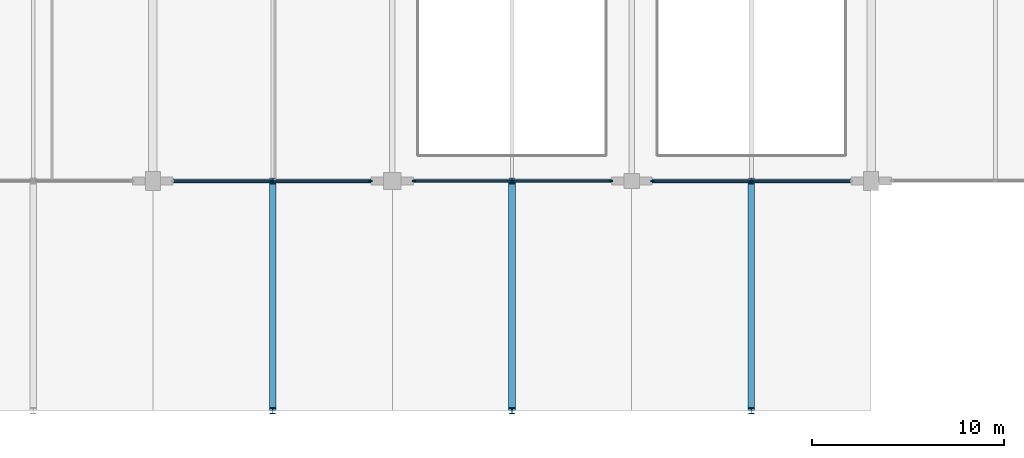
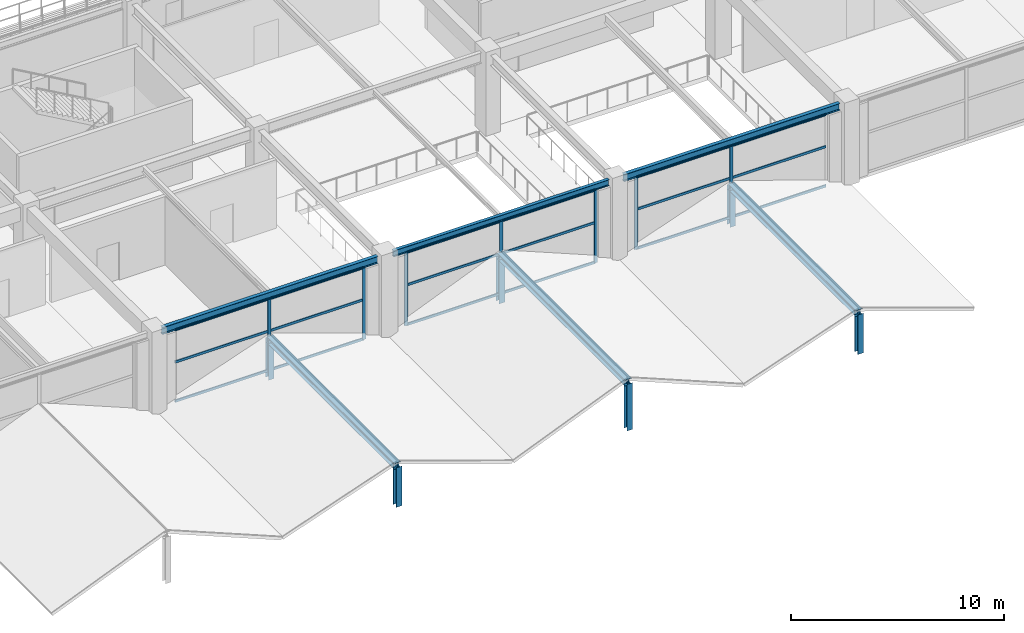
# One storey, part 12 of 134: 34 members, 3 beams, 3 elements without a shape of their own.
"""IFC4 building model written with IfcOpenShell, lengths in metres."""

from ifc_helpers import new_model, si_unit, direction, frame, origin, origin_2d, place, context, subcontext, project, spatial, rectangle, i_section, extrude, material, layer, layer_set, material_profile, profile_set, type_object, element, aggregate, save


model = new_model("IFC4")

# Units and contexts
model_context = context("Model", 3, precision=1e-05, world=origin(), true_north=direction((0.0, 1.0)))
body_context = subcontext(model_context, "Body", "Model", "MODEL_VIEW")
ifc_project = project(units=[si_unit("LENGTHUNIT", "METRE"), si_unit("AREAUNIT", "SQUARE_METRE"), si_unit("VOLUMEUNIT", "CUBIC_METRE"), si_unit("PLANEANGLEUNIT", "RADIAN"), si_unit("MASSUNIT", "GRAM", prefix="KILO")], contexts=[model_context])

# Site, building, storey
site_placement = place(None, origin())
site = spatial("IfcSite", under=ifc_project, at=site_placement, CompositionType="ELEMENT")
building_placement = place(site_placement, origin())
building = spatial("IfcBuilding", under=site, at=building_placement, Name="Kazenohara Klinker Stadium", CompositionType="ELEMENT")
storey_placement = place(building_placement, frame((0.0, 0.0, 5.39990234375)))
storey = spatial("IfcBuildingStorey", under=building, at=storey_placement, Name="L01", CompositionType="ELEMENT", Elevation=5.39990234375)

# Beams
ifc_material_1 = material(Name="Steel S355", Category="steel")
ifc_material_profile_1 = material_profile(ifc_material_1, i_section(OverallWidth=0.199951171875, OverallDepth=0.39990234375, WebThickness=0.008056640625, FlangeThickness=0.012939453125, FilletRadius=0.012939453125, at=origin_2d()), Name="H-400x200x8x13")
ifc_profile_set_1 = profile_set([ifc_material_profile_1], Name="Steel S355")
beam_type_1 = type_object("IfcBeamType", Name="BM-SPD01", PredefinedType="SPANDREL", material=ifc_profile_set_1)
beam_1_placement = place(storey_placement, frame((61.89990234375, 12.0, 4.35009765625), z_axis=(1.0, 0.0, 0.0), x_axis=(0.0, 1.0, 0.0)))
element("IfcBeam", 1, at=beam_1_placement, inside=storey, type_object=beam_type_1, Name="Primary girder SP01 L01 6-7/B", PredefinedType="SPANDREL", context=body_context, shape_type="SweptSolid", body=[
    extrude(i_section(OverallWidth=0.199951171875, OverallDepth=0.39990234375, WebThickness=0.008056640625, FlangeThickness=0.012939453125, FilletRadius=0.012939453125, at=origin_2d()), origin(), (0.0, 0.0, 1.0), 11.68017578125),
])
beam_2_placement = place(storey_placement, frame((86.89990234375, 12.0, 4.35009765625), z_axis=(1.0, 0.0, 0.0), x_axis=(0.0, 1.0, 0.0)))
element("IfcBeam", 2, at=beam_2_placement, inside=storey, type_object=beam_type_1, Name="Primary girder SP01 L01 8-9/B", PredefinedType="SPANDREL", context=body_context, shape_type="SweptSolid", body=[
    extrude(i_section(OverallWidth=0.199951171875, OverallDepth=0.39990234375, WebThickness=0.008056640625, FlangeThickness=0.012939453125, FilletRadius=0.012939453125, at=origin_2d()), origin(), (0.0, 0.0, 1.0), 11.7001953125),
])
ifc_material_profile_2 = material_profile(ifc_material_1, i_section(OverallWidth=0.175048828125, OverallDepth=0.35009765625, WebThickness=0.007080078125, FlangeThickness=0.010986328125, FilletRadius=0.012939453125, at=origin_2d()), Name="H-350x175x7x11")
ifc_profile_set_2 = profile_set([ifc_material_profile_2], Name="Steel S355")
beam_type_2 = type_object("IfcBeamType", Name="BM-SPD02", PredefinedType="SPANDREL", material=ifc_profile_set_2)
beam_3_placement = place(storey_placement, frame((74.419921875, 12.0, 4.375), z_axis=(1.0, 0.0, 0.0), x_axis=(0.0, 1.0, 0.0)))
element("IfcBeam", 3, at=beam_3_placement, inside=storey, type_object=beam_type_2, Name="Primary girder SP02 L01 7-8/B", PredefinedType="SPANDREL", context=body_context, shape_type="SweptSolid", body=[
    extrude(i_section(OverallWidth=0.175048828125, OverallDepth=0.35009765625, WebThickness=0.007080078125, FlangeThickness=0.010986328125, FilletRadius=0.012939453125, at=origin_2d()), origin(), (0.0, 0.0, 1.0), 11.68017578125),
])

# Curtain wall, members
ifc_material_2 = material(Name="Anodised aluminium and triple glazing", Category="aluminium")
ifc_layer_1 = layer(ifc_material_2, 0.18994140625)
ifc_layer_set_1 = layer_set([ifc_layer_1], Name="Anodised aluminium and triple glazing")
curtain_wall_type_1 = type_object("IfcCurtainWallType", Name="CW-SYS-05", PredefinedType="USERDEFINED", material=ifc_layer_set_1)
curtain_wall_1_placement = place(storey_placement, origin())
curtain_wall_1 = element("IfcCurtainWall", 4, at=curtain_wall_1_placement, inside=storey, type_object=curtain_wall_type_1, Name="Unitised facade curtain wall CW05 L01 X5-1", ObjectType="UNITISED CURTAIN WALL", PredefinedType="USERDEFINED")
ifc_material_3 = material(Name="Anodised aluminium 6063-T6", Category="aluminium")
ifc_material_profile_3 = material_profile(ifc_material_3, rectangle(XDim=0.06494140625, YDim=0.179931640625, at=origin_2d()), Name="ALU-MUL-65x180")
ifc_profile_set_3 = profile_set([ifc_material_profile_3], Name="Anodised aluminium 6063-T6")
member_type_1 = type_object("IfcMemberType", Name="CW-MUL-180", PredefinedType="MULLION", material=ifc_profile_set_3)
member_1_placement = place(storey_placement, frame((67.72509765625, 12.0, 0.0), z_axis=(0.0, 0.0, 1.0), x_axis=(0.0, 1.0, 0.0)))
member_1 = element("IfcMember", 5, at=member_1_placement, type_object=member_type_1, Name="CW05 mullion 2", PredefinedType="MULLION", context=body_context, shape_type="SweptSolid", body=[
    extrude(rectangle(XDim=0.06494140625, YDim=0.179931640625, at=origin_2d()), origin(), (0.0, 0.0, 1.0), 4.150146484375),
])
member_2_placement = place(storey_placement, frame((72.863525390625, 12.0, 0.0), z_axis=(0.0, 0.0, 1.0), x_axis=(0.0, 1.0, 0.0)))
member_2 = element("IfcMember", 6, at=member_2_placement, type_object=member_type_1, Name="CW05 mullion 3", PredefinedType="MULLION", context=body_context, shape_type="SweptSolid", body=[
    extrude(rectangle(XDim=0.06494140625, YDim=0.179931640625, at=origin_2d()), origin(), (0.0, 0.0, 1.0), 4.150146484375),
])

ifc_layer_2 = layer(ifc_material_2, 0.179931640625)
ifc_layer_set_2 = layer_set([ifc_layer_2], Name="Anodised aluminium and triple glazing")
curtain_wall_type_2 = type_object("IfcCurtainWallType", Name="CW-SYS-02", PredefinedType="USERDEFINED", material=ifc_layer_set_2)
curtain_wall_2_placement = place(storey_placement, origin())
curtain_wall_2 = element("IfcCurtainWall", 7, at=curtain_wall_2_placement, inside=storey, type_object=curtain_wall_type_2, Name="Unitised facade curtain wall CW02 L01 X6-1", ObjectType="UNITISED CURTAIN WALL", PredefinedType="USERDEFINED")
member_3_placement = place(storey_placement, frame((75.136474609375, 12.0, 0.0), z_axis=(0.0, 0.0, 1.0), x_axis=(0.0, 1.0, 0.0)))
member_3 = element("IfcMember", 8, at=member_3_placement, type_object=member_type_1, Name="CW02 mullion 1", PredefinedType="MULLION", context=body_context, shape_type="SweptSolid", body=[
    extrude(rectangle(XDim=0.06494140625, YDim=0.179931640625, at=origin_2d()), origin(), (0.0, 0.0, 1.0), 4.2001953125),
])
member_4_placement = place(storey_placement, frame((80.27490234375, 12.0, 0.0), z_axis=(0.0, 0.0, 1.0), x_axis=(0.0, 1.0, 0.0)))
member_4 = element("IfcMember", 9, at=member_4_placement, type_object=member_type_1, Name="CW02 mullion 2", PredefinedType="MULLION", context=body_context, shape_type="SweptSolid", body=[
    extrude(rectangle(XDim=0.06494140625, YDim=0.179931640625, at=origin_2d()), origin(), (0.0, 0.0, 1.0), 4.2001953125),
])
member_5_placement = place(storey_placement, frame((85.41357421875, 12.0, 0.0), z_axis=(0.0, 0.0, 1.0), x_axis=(0.0, 1.0, 0.0)))
member_5 = element("IfcMember", 10, at=member_5_placement, type_object=member_type_1, Name="CW02 mullion 3", PredefinedType="MULLION", context=body_context, shape_type="SweptSolid", body=[
    extrude(rectangle(XDim=0.06494140625, YDim=0.179931640625, at=origin_2d()), origin(), (0.0, 0.0, 1.0), 4.2001953125),
])

ifc_layer_3 = layer(ifc_material_2, 0.169921875)
ifc_layer_set_3 = layer_set([ifc_layer_3], Name="Anodised aluminium and triple glazing")
curtain_wall_type_3 = type_object("IfcCurtainWallType", Name="CW-SYS-04", PredefinedType="USERDEFINED", material=ifc_layer_set_3)
curtain_wall_3_placement = place(storey_placement, origin())
curtain_wall_3 = element("IfcCurtainWall", 11, at=curtain_wall_3_placement, inside=storey, type_object=curtain_wall_type_3, Name="Unitised facade curtain wall CW04 L01 X7-1", ObjectType="UNITISED CURTAIN WALL", PredefinedType="USERDEFINED")
member_6_placement = place(storey_placement, frame((87.58642578125, 12.0, 0.0), z_axis=(0.0, 0.0, 1.0), x_axis=(0.0, 1.0, 0.0)))
member_6 = element("IfcMember", 12, at=member_6_placement, type_object=member_type_1, Name="CW04 mullion 1", PredefinedType="MULLION", context=body_context, shape_type="SweptSolid", body=[
    extrude(rectangle(XDim=0.06494140625, YDim=0.179931640625, at=origin_2d()), origin(), (0.0, 0.0, 1.0), 4.150146484375),
])
member_7_placement = place(storey_placement, frame((92.75, 12.0, 0.0), z_axis=(0.0, 0.0, 1.0), x_axis=(0.0, 1.0, 0.0)))
member_7 = element("IfcMember", 13, at=member_7_placement, type_object=member_type_1, Name="CW04 mullion 2", PredefinedType="MULLION", context=body_context, shape_type="SweptSolid", body=[
    extrude(rectangle(XDim=0.06494140625, YDim=0.179931640625, at=origin_2d()), origin(), (0.0, 0.0, 1.0), 4.150146484375),
])

# Member
ifc_material_profile_4 = material_profile(ifc_material_3, rectangle(XDim=0.06494140625, YDim=0.139892578125, at=origin_2d()), Name="ALU-TRN-65x140")
ifc_profile_set_4 = profile_set([ifc_material_profile_4], Name="Anodised aluminium 6063-T6")
member_type_2 = type_object("IfcMemberType", Name="CW-TRN-140", PredefinedType="USERDEFINED", material=ifc_profile_set_4)
member_8_placement = place(storey_placement, frame((62.618896484375, 12.0, 0.03271484375), z_axis=(1.0, 0.0, 0.0), x_axis=(0.0, 1.0, 0.0)))
member_8 = element("IfcMember", 14, at=member_8_placement, type_object=member_type_2, Name="CW05 transom 1.1", ObjectType="TRANSOM", PredefinedType="USERDEFINED", context=body_context, shape_type="SweptSolid", body=[
    extrude(rectangle(XDim=0.06494140625, YDim=0.139892578125, at=origin_2d()), origin(), (0.0, 0.0, 1.0), 5.073486328125),
])

member_9_placement = place(storey_placement, frame((62.618896484375, 12.0, 2.28271484375), z_axis=(1.0, 0.0, 0.0), x_axis=(0.0, 1.0, 0.0)))
member_9 = element("IfcMember", 15, at=member_9_placement, type_object=member_type_2, Name="CW05 transom 1.2", ObjectType="TRANSOM", PredefinedType="USERDEFINED", context=body_context, shape_type="SweptSolid", body=[
    extrude(rectangle(XDim=0.06494140625, YDim=0.139892578125, at=origin_2d()), origin(), (0.0, 0.0, 1.0), 5.073486328125),
])

member_10_placement = place(storey_placement, frame((62.618896484375, 12.0, 4.11767578125), z_axis=(1.0, 0.0, 0.0), x_axis=(0.0, 1.0, 0.0)))
member_10 = element("IfcMember", 16, at=member_10_placement, type_object=member_type_2, Name="CW05 transom 1.3", ObjectType="TRANSOM", PredefinedType="USERDEFINED", context=body_context, shape_type="SweptSolid", body=[
    extrude(rectangle(XDim=0.06494140625, YDim=0.139892578125, at=origin_2d()), origin(), (0.0, 0.0, 1.0), 5.073486328125),
])

member_11_placement = place(storey_placement, frame((67.757568359375, 12.0, 0.03271484375), z_axis=(1.0, 0.0, 0.0), x_axis=(0.0, 1.0, 0.0)))
member_11 = element("IfcMember", 17, at=member_11_placement, type_object=member_type_2, Name="CW05 transom 2.1", ObjectType="TRANSOM", PredefinedType="USERDEFINED", context=body_context, shape_type="SweptSolid", body=[
    extrude(rectangle(XDim=0.06494140625, YDim=0.139892578125, at=origin_2d()), origin(), (0.0, 0.0, 1.0), 5.073486328125),
])

member_12_placement = place(storey_placement, frame((67.757568359375, 12.0, 2.28271484375), z_axis=(1.0, 0.0, 0.0), x_axis=(0.0, 1.0, 0.0)))
member_12 = element("IfcMember", 18, at=member_12_placement, type_object=member_type_2, Name="CW05 transom 2.2", ObjectType="TRANSOM", PredefinedType="USERDEFINED", context=body_context, shape_type="SweptSolid", body=[
    extrude(rectangle(XDim=0.06494140625, YDim=0.139892578125, at=origin_2d()), origin(), (0.0, 0.0, 1.0), 5.073486328125),
])

member_13_placement = place(storey_placement, frame((67.757568359375, 12.0, 4.11767578125), z_axis=(1.0, 0.0, 0.0), x_axis=(0.0, 1.0, 0.0)))
member_13 = element("IfcMember", 19, at=member_13_placement, type_object=member_type_2, Name="CW05 transom 2.3", ObjectType="TRANSOM", PredefinedType="USERDEFINED", context=body_context, shape_type="SweptSolid", body=[
    extrude(rectangle(XDim=0.06494140625, YDim=0.139892578125, at=origin_2d()), origin(), (0.0, 0.0, 1.0), 5.073486328125),
])

aggregate(curtain_wall_1, [member_1, member_2, member_8, member_9, member_10, member_11, member_12, member_13])

member_14_placement = place(storey_placement, frame((75.1689453125, 12.0, 0.03271484375), z_axis=(1.0, 0.0, 0.0), x_axis=(0.0, 1.0, 0.0)))
member_14 = element("IfcMember", 20, at=member_14_placement, type_object=member_type_2, Name="CW02 transom 1.1", ObjectType="TRANSOM", PredefinedType="USERDEFINED", context=body_context, shape_type="SweptSolid", body=[
    extrude(rectangle(XDim=0.06494140625, YDim=0.139892578125, at=origin_2d()), origin(), (0.0, 0.0, 1.0), 5.073486328125),
])

member_15_placement = place(storey_placement, frame((75.1689453125, 12.0, 2.31005859375), z_axis=(1.0, 0.0, 0.0), x_axis=(0.0, 1.0, 0.0)))
member_15 = element("IfcMember", 21, at=member_15_placement, type_object=member_type_2, Name="CW02 transom 1.2", ObjectType="TRANSOM", PredefinedType="USERDEFINED", context=body_context, shape_type="SweptSolid", body=[
    extrude(rectangle(XDim=0.06494140625, YDim=0.139892578125, at=origin_2d()), origin(), (0.0, 0.0, 1.0), 5.073486328125),
])

member_16_placement = place(storey_placement, frame((75.1689453125, 12.0, 4.16748046875), z_axis=(1.0, 0.0, 0.0), x_axis=(0.0, 1.0, 0.0)))
member_16 = element("IfcMember", 22, at=member_16_placement, type_object=member_type_2, Name="CW02 transom 1.3", ObjectType="TRANSOM", PredefinedType="USERDEFINED", context=body_context, shape_type="SweptSolid", body=[
    extrude(rectangle(XDim=0.06494140625, YDim=0.139892578125, at=origin_2d()), origin(), (0.0, 0.0, 1.0), 5.073486328125),
])

member_17_placement = place(storey_placement, frame((80.3076171875, 12.0, 0.03271484375), z_axis=(1.0, 0.0, 0.0), x_axis=(0.0, 1.0, 0.0)))
member_17 = element("IfcMember", 23, at=member_17_placement, type_object=member_type_2, Name="CW02 transom 2.1", ObjectType="TRANSOM", PredefinedType="USERDEFINED", context=body_context, shape_type="SweptSolid", body=[
    extrude(rectangle(XDim=0.06494140625, YDim=0.139892578125, at=origin_2d()), origin(), (0.0, 0.0, 1.0), 5.073486328125),
])

member_18_placement = place(storey_placement, frame((80.3076171875, 12.0, 2.31005859375), z_axis=(1.0, 0.0, 0.0), x_axis=(0.0, 1.0, 0.0)))
member_18 = element("IfcMember", 24, at=member_18_placement, type_object=member_type_2, Name="CW02 transom 2.2", ObjectType="TRANSOM", PredefinedType="USERDEFINED", context=body_context, shape_type="SweptSolid", body=[
    extrude(rectangle(XDim=0.06494140625, YDim=0.139892578125, at=origin_2d()), origin(), (0.0, 0.0, 1.0), 5.073486328125),
])

member_19_placement = place(storey_placement, frame((80.3076171875, 12.0, 4.16748046875), z_axis=(1.0, 0.0, 0.0), x_axis=(0.0, 1.0, 0.0)))
member_19 = element("IfcMember", 25, at=member_19_placement, type_object=member_type_2, Name="CW02 transom 2.3", ObjectType="TRANSOM", PredefinedType="USERDEFINED", context=body_context, shape_type="SweptSolid", body=[
    extrude(rectangle(XDim=0.06494140625, YDim=0.139892578125, at=origin_2d()), origin(), (0.0, 0.0, 1.0), 5.073486328125),
])

aggregate(curtain_wall_2, [member_3, member_4, member_5, member_14, member_15, member_16, member_17, member_18, member_19])

member_20_placement = place(storey_placement, frame((87.618896484375, 12.0, 0.03271484375), z_axis=(1.0, 0.0, 0.0), x_axis=(0.0, 1.0, 0.0)))
member_20 = element("IfcMember", 26, at=member_20_placement, type_object=member_type_2, Name="CW04 transom 1.1", ObjectType="TRANSOM", PredefinedType="USERDEFINED", context=body_context, shape_type="SweptSolid", body=[
    extrude(rectangle(XDim=0.06494140625, YDim=0.139892578125, at=origin_2d()), origin(), (0.0, 0.0, 1.0), 5.0986328125),
])

member_21_placement = place(storey_placement, frame((87.618896484375, 12.0, 2.28271484375), z_axis=(1.0, 0.0, 0.0), x_axis=(0.0, 1.0, 0.0)))
member_21 = element("IfcMember", 27, at=member_21_placement, type_object=member_type_2, Name="CW04 transom 1.2", ObjectType="TRANSOM", PredefinedType="USERDEFINED", context=body_context, shape_type="SweptSolid", body=[
    extrude(rectangle(XDim=0.06494140625, YDim=0.139892578125, at=origin_2d()), origin(), (0.0, 0.0, 1.0), 5.0986328125),
])

member_22_placement = place(storey_placement, frame((87.618896484375, 12.0, 4.11767578125), z_axis=(1.0, 0.0, 0.0), x_axis=(0.0, 1.0, 0.0)))
member_22 = element("IfcMember", 28, at=member_22_placement, type_object=member_type_2, Name="CW04 transom 1.3", ObjectType="TRANSOM", PredefinedType="USERDEFINED", context=body_context, shape_type="SweptSolid", body=[
    extrude(rectangle(XDim=0.06494140625, YDim=0.139892578125, at=origin_2d()), origin(), (0.0, 0.0, 1.0), 5.0986328125),
])

member_23_placement = place(storey_placement, frame((92.782470703125, 12.0, 0.03271484375), z_axis=(1.0, 0.0, 0.0), x_axis=(0.0, 1.0, 0.0)))
member_23 = element("IfcMember", 29, at=member_23_placement, type_object=member_type_2, Name="CW04 transom 2.1", ObjectType="TRANSOM", PredefinedType="USERDEFINED", context=body_context, shape_type="SweptSolid", body=[
    extrude(rectangle(XDim=0.06494140625, YDim=0.139892578125, at=origin_2d()), origin(), (0.0, 0.0, 1.0), 5.0986328125),
])

member_24_placement = place(storey_placement, frame((92.782470703125, 12.0, 2.28271484375), z_axis=(1.0, 0.0, 0.0), x_axis=(0.0, 1.0, 0.0)))
member_24 = element("IfcMember", 30, at=member_24_placement, type_object=member_type_2, Name="CW04 transom 2.2", ObjectType="TRANSOM", PredefinedType="USERDEFINED", context=body_context, shape_type="SweptSolid", body=[
    extrude(rectangle(XDim=0.06494140625, YDim=0.139892578125, at=origin_2d()), origin(), (0.0, 0.0, 1.0), 5.0986328125),
])

member_25_placement = place(storey_placement, frame((92.782470703125, 12.0, 4.11767578125), z_axis=(1.0, 0.0, 0.0), x_axis=(0.0, 1.0, 0.0)))
member_25 = element("IfcMember", 31, at=member_25_placement, type_object=member_type_2, Name="CW04 transom 2.3", ObjectType="TRANSOM", PredefinedType="USERDEFINED", context=body_context, shape_type="SweptSolid", body=[
    extrude(rectangle(XDim=0.06494140625, YDim=0.139892578125, at=origin_2d()), origin(), (0.0, 0.0, 1.0), 5.0986328125),
])

aggregate(curtain_wall_3, [member_6, member_7, member_20, member_21, member_22, member_23, member_24, member_25])

# Members
ifc_material_profile_5 = material_profile(ifc_material_1, i_section(OverallWidth=0.35009765625, OverallDepth=0.35009765625, WebThickness=0.011962890625, FlangeThickness=0.01904296875, FilletRadius=0.012939453125, at=origin_2d()), Name="H-350x350x12x19")
ifc_profile_set_5 = profile_set([ifc_material_profile_5], Name="Steel S355")
member_type_3 = type_object("IfcMemberType", Name="MEM-CHD02", PredefinedType="CHORD", material=ifc_profile_set_5)
for number, where, z_axis, x_axis, name in (
    (32, (67.75, 0.0, 1.830078125), (0.0, 1.0, 0.0), (-1.0, 0.0, 0.0), "Stepped pavilion gable ridge beam L01 6/A"),
    (33, (80.25, 0.0, 2.22998046875), (0.0, 1.0, 0.0), (-1.0, 0.0, 0.0), "Stepped pavilion gable ridge beam L01 7/A"),
    (34, (92.75, 0.0, 1.830078125), (0.0, 1.0, 0.0), (-1.0, 0.0, 0.0), "Stepped pavilion gable ridge beam L01 8/A"),
):
    element("IfcMember", number, at=place(storey_placement, frame(where, z_axis=z_axis, x_axis=x_axis)), inside=storey, type_object=member_type_3, Name=name, PredefinedType="CHORD", context=body_context, shape_type="SweptSolid", body=[
        extrude(i_section(OverallWidth=0.35009765625, OverallDepth=0.35009765625, WebThickness=0.011962890625, FlangeThickness=0.01904296875, FilletRadius=0.012939453125, at=origin_2d()), origin(), (0.0, 0.0, 1.0), 12.0),
    ])
ifc_material_profile_6 = material_profile(ifc_material_1, i_section(OverallWidth=0.300048828125, OverallDepth=0.300048828125, WebThickness=0.010009765625, FlangeThickness=0.014892578125, FilletRadius=0.012939453125, at=origin_2d()), Name="H-300x300x10x15")
ifc_profile_set_6 = profile_set([ifc_material_profile_6], Name="Steel S355")
member_type_4 = type_object("IfcMemberType", Name="MEM-STR01", PredefinedType="STRUT", material=ifc_profile_set_6)
for number, where, z_axis, x_axis, name in (
    (35, (67.75, 0.0, -0.429931640625), (0.0, 0.0, 1.0), (1.0, 0.0, 0.0), "Stepped pavilion gable king-post L01 6/A S"),
    (36, (67.75, 12.0, -0.429931640625), (0.0, 0.0, 1.0), (1.0, 0.0, 0.0), "Stepped pavilion gable king-post L01 6/A N"),
):
    element("IfcMember", number, at=place(storey_placement, frame(where, z_axis=z_axis, x_axis=x_axis)), inside=storey, type_object=member_type_4, Name=name, PredefinedType="STRUT", context=body_context, shape_type="SweptSolid", body=[
        extrude(i_section(OverallWidth=0.300048828125, OverallDepth=0.300048828125, WebThickness=0.010009765625, FlangeThickness=0.014892578125, FilletRadius=0.012939453125, at=origin_2d()), origin(), (0.0, 0.0, 1.0), 2.260009765625),
    ])
for number, where, z_axis, x_axis, name in (
    (37, (80.25, 0.0, -0.429931640625), (0.0, 0.0, 1.0), (1.0, 0.0, 0.0), "Stepped pavilion gable king-post L01 7/A S"),
    (38, (80.25, 12.0, -0.429931640625), (0.0, 0.0, 1.0), (1.0, 0.0, 0.0), "Stepped pavilion gable king-post L01 7/A N"),
):
    element("IfcMember", number, at=place(storey_placement, frame(where, z_axis=z_axis, x_axis=x_axis)), inside=storey, type_object=member_type_4, Name=name, PredefinedType="STRUT", context=body_context, shape_type="SweptSolid", body=[
        extrude(i_section(OverallWidth=0.300048828125, OverallDepth=0.300048828125, WebThickness=0.010009765625, FlangeThickness=0.014892578125, FilletRadius=0.012939453125, at=origin_2d()), origin(), (0.0, 0.0, 1.0), 2.659912109375),
    ])
for number, where, z_axis, x_axis, name in (
    (39, (92.75, 0.0, -0.429931640625), (0.0, 0.0, 1.0), (1.0, 0.0, 0.0), "Stepped pavilion gable king-post L01 8/A S"),
    (40, (92.75, 12.0, -0.429931640625), (0.0, 0.0, 1.0), (1.0, 0.0, 0.0), "Stepped pavilion gable king-post L01 8/A N"),
):
    element("IfcMember", number, at=place(storey_placement, frame(where, z_axis=z_axis, x_axis=x_axis)), inside=storey, type_object=member_type_4, Name=name, PredefinedType="STRUT", context=body_context, shape_type="SweptSolid", body=[
        extrude(i_section(OverallWidth=0.300048828125, OverallDepth=0.300048828125, WebThickness=0.010009765625, FlangeThickness=0.014892578125, FilletRadius=0.012939453125, at=origin_2d()), origin(), (0.0, 0.0, 1.0), 2.260009765625),
    ])

save(model, "model.ifc")
